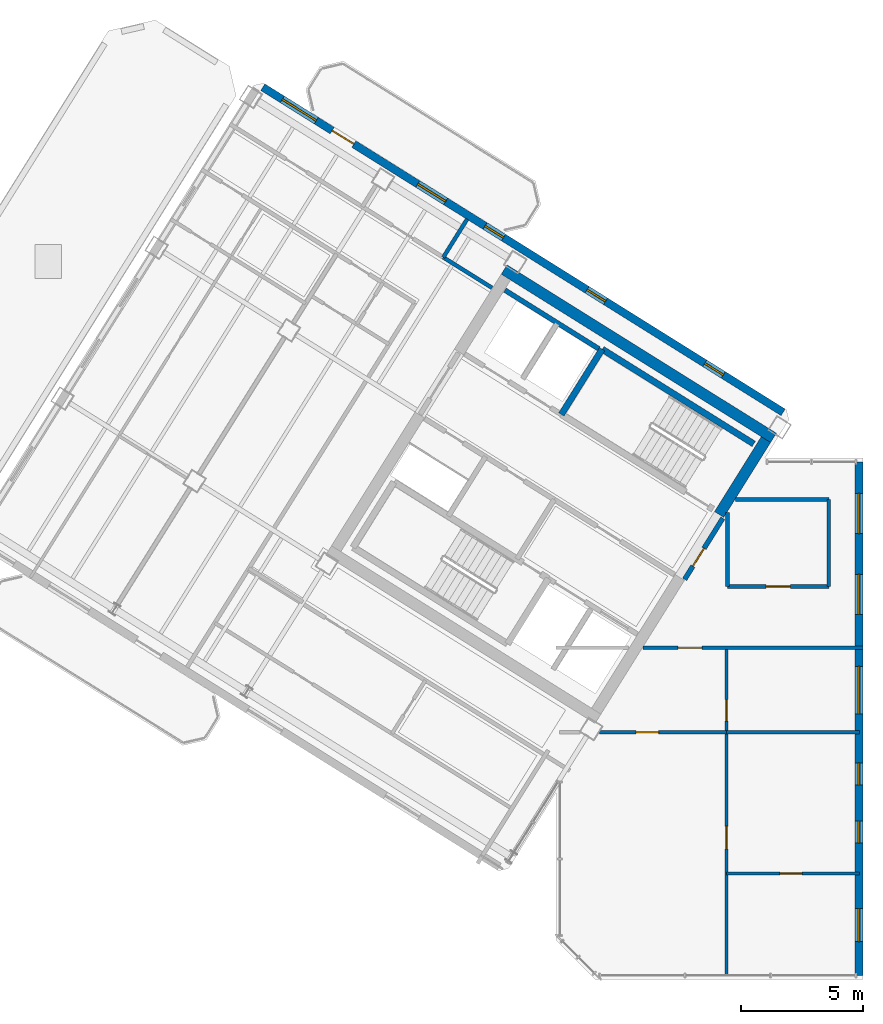
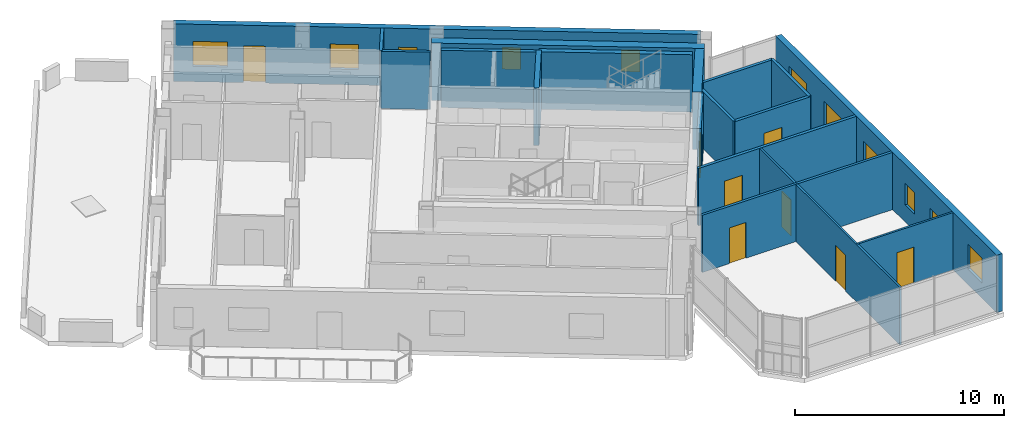
# One storey, part 9 of 12: 19 walls, 11 windows, 8 doors, 19 openings.
"""IFC4 building model written with IfcOpenShell, lengths in metres."""

from ifc_helpers import new_model, si_unit, direction, frame, frame_2d, origin, place, context, subcontext, project, spatial, rectangle, extrude, source, transform, mapped, material, layer, layer_set, type_object, element, fill, save


model = new_model("IFC4")

# Units and contexts
model_context = context("Model", 3, precision=1e-05, world=origin(), true_north=direction((0.0, 1.0)))
body_context = subcontext(model_context, "Body", "Model", "MODEL_VIEW")
ifc_project = project(units=[si_unit("LENGTHUNIT", "METRE"), si_unit("AREAUNIT", "SQUARE_METRE"), si_unit("VOLUMEUNIT", "CUBIC_METRE"), si_unit("PLANEANGLEUNIT", "RADIAN"), si_unit("MASSUNIT", "GRAM", prefix="KILO")], contexts=[model_context])

# Site, building, storey
site_placement = place(None, origin())
site = spatial("IfcSite", under=ifc_project, at=site_placement, CompositionType="ELEMENT")
building_placement = place(site_placement, origin())
building = spatial("IfcBuilding", under=site, at=building_placement, Name="Tlacorven Tower", CompositionType="ELEMENT")
storey_placement = place(building_placement, frame((0.0, 0.0, 280.800048828125)))
storey = spatial("IfcBuildingStorey", under=building, at=storey_placement, Name="L71", CompositionType="ELEMENT", Elevation=280.800048828125)

# Walls
ifc_material_1 = material(Name="Concrete C50/60", Category="concrete")
ifc_layer_1 = layer(ifc_material_1, 0.449951171875)
ifc_layer_set_1 = layer_set([ifc_layer_1], Name="Concrete C50/60")
wall_type_1 = type_object("IfcWallType", Name="WL-COR-450", PredefinedType="SHEAR", material=ifc_layer_set_1)
wall_1_placement = place(storey_placement, frame((40.53076171875, 24.036376953125, 0.0), z_axis=(0.0, 0.0, 1.0), x_axis=(-0.848048787466, 0.529918157905, 0.0)))
element("IfcWall", 1, at=wall_1_placement, inside=storey, type_object=wall_type_1, Name="L71 W core shear wall S1", PredefinedType="SHEAR", context=body_context, shape_type="SweptSolid", body=[
    extrude(rectangle(XDim=13.0400390625, YDim=0.449951171875, at=frame_2d((6.52001953125, 0.0))), origin(), (0.0, 0.0, 1.0), 3.349853515625),
])
wall_2_placement = place(storey_placement, frame((40.220703125, 23.96484375, 0.0), z_axis=(0.0, 0.0, 1.0), x_axis=(-0.529902075036, -0.848058836916, 0.0)))
element("IfcWall", 2, at=wall_2_placement, inside=storey, type_object=wall_type_1, Name="L71 W core end wall E1.1", PredefinedType="SHEAR", context=body_context, shape_type="SweptSolid", body=[
    extrude(rectangle(XDim=3.625, YDim=0.449951171875, at=frame_2d((1.8125, 0.0))), origin(), (0.0, 0.0, 1.0), 3.349853515625),
])
ifc_material_2 = material(Name="Gypsum plasterboard acoustic partition", Category="gypsum")
ifc_layer_2 = layer(ifc_material_2, 0.159912109375)
ifc_layer_set_2 = layer_set([ifc_layer_2], Name="Gypsum plasterboard acoustic partition")
wall_type_2 = type_object("IfcWallType", Name="WL-DEM-160", PredefinedType="PARTITIONING", material=ifc_layer_set_2)
wall_3_placement = place(storey_placement, frame((28.972412109375, 30.197509765625, 0.0), z_axis=(0.0, 0.0, 1.0), x_axis=(-0.848015752453, 0.529971021464, 0.0)))
element("IfcWall", 3, at=wall_3_placement, inside=storey, type_object=wall_type_2, Name="L71 partition 19", PredefinedType="PARTITIONING", context=body_context, shape_type="SweptSolid", body=[
    extrude(rectangle(XDim=2.358154296875, YDim=0.159912109375, at=frame_2d((1.17919921875, 0.0))), origin(), (0.0, 0.0, 1.0), 3.33984375),
])
wall_4_placement = place(storey_placement, frame((27.952880859375, 33.01611328125, 0.0), z_axis=(0.0, 0.0, 1.0), x_axis=(-0.529880305451, -0.848072439061, 0.0)))
element("IfcWall", 4, at=wall_4_placement, inside=storey, type_object=wall_type_2, Name="L71 partition 21", PredefinedType="PARTITIONING", context=body_context, shape_type="SweptSolid", body=[
    extrude(rectangle(XDim=1.849853515625, YDim=0.159912109375, at=frame_2d((0.9248046875, 0.0))), origin(), (0.0, 0.0, 1.0), 3.33984375),
])

# Wall, opening, door
wall_5_placement = place(storey_placement, frame((35.178466796875, 15.419921875, 0.0), z_axis=(0.0, 0.0, 1.0), x_axis=(1.0, 0.0, 0.0)))
wall_5 = element("IfcWall", 5, at=wall_5_placement, inside=storey, type_object=wall_type_2, Name="L71 Knuckle Corridor South Wall", PredefinedType="PARTITIONING", context=body_context, shape_type="SweptSolid", body=[
    extrude(rectangle(XDim=9.021484375, YDim=0.159912109375, at=frame_2d((4.5107421875, 0.0))), origin(), (0.0, 0.0, 1.0), 3.33984375),
])
opening_1_placement = place(wall_5_placement, frame((1.421630859375, 0.0, 0.0)))
opening_1 = element("IfcOpeningElement", 6, at=opening_1_placement, cuts=wall_5, Name="Opening D11", PredefinedType="OPENING", context=body_context, shape_type="SweptSolid", body=[
    extrude(rectangle(XDim=1.0, YDim=2.10009765625, at=frame_2d((0.5, 1.050048828125))), frame((0.0, 0.08984375, 0.0), z_axis=(0.0, -1.0, 0.0), x_axis=(1.0, 0.0, 0.0)), (0.0, 0.0, 1.0), 0.179931640625),
])
ifc_material_3 = material(Name="Fire-rated steel door assembly", Category="steel")
door_type_1 = type_object("IfcDoorType", Name="DR-FLT-FD60-1000", OperationType="NOTDEFINED", PredefinedType="DOOR", material=ifc_material_3)
shared_shape_1 = source(origin(), body_context, "Body", "SweptSolid", [
    extrude(rectangle(XDim=1.0, YDim=2.10009765625, at=frame_2d((0.5, 1.050048828125))), frame((0.0, 0.02490234375, 0.0), z_axis=(0.0, -1.0, 0.0), x_axis=(1.0, 0.0, 0.0)), (0.0, 0.0, 1.0), 0.050048828125),
])
door_1_placement = place(opening_1_placement, frame((1.0, 0.0, 0.0), z_axis=(0.0, 0.0, 1.0), x_axis=(-1.0, 0.0, 0.0)))
door_1 = element("IfcDoor", 7, at=door_1_placement, inside=storey, type_object=door_type_1, Name="L71 door 029", OperationType="SINGLE_SWING_LEFT", OverallHeight=2.10009765625, OverallWidth=1.0, PredefinedType="DOOR", context=body_context, shape_type="MappedRepresentation", body=[
    mapped(shared_shape_1, transform((0.0, 0.0, 0.0), scale=1.0)),
])
fill(opening_1, door_1)

wall_6_placement = place(storey_placement, frame((38.64990234375, 17.929931640625, 0.0), z_axis=(0.0, 0.0, 1.0), x_axis=(1.0, 0.0, 0.0)))
wall_6 = element("IfcWall", 8, at=wall_6_placement, inside=storey, type_object=wall_type_2, Name="L71 partition 40", PredefinedType="PARTITIONING", context=body_context, shape_type="SweptSolid", body=[
    extrude(rectangle(XDim=4.150146484375, YDim=0.159912109375, at=frame_2d((2.0751953125, 0.0))), origin(), (0.0, 0.0, 1.0), 3.33984375),
])
opening_2_placement = place(wall_6_placement, frame((1.574951171875, 0.0, 0.0)))
opening_2 = element("IfcOpeningElement", 9, at=opening_2_placement, cuts=wall_6, Name="Opening D11", PredefinedType="OPENING", context=body_context, shape_type="SweptSolid", body=[
    extrude(rectangle(XDim=1.0, YDim=2.10009765625, at=frame_2d((0.5, 1.050048828125))), frame((0.0, 0.08984375, 0.0), z_axis=(0.0, -1.0, 0.0), x_axis=(1.0, 0.0, 0.0)), (0.0, 0.0, 1.0), 0.179931640625),
])
door_2_placement = place(opening_2_placement, origin())
door_2 = element("IfcDoor", 10, at=door_2_placement, inside=storey, type_object=door_type_1, Name="L71 door 025", OperationType="SINGLE_SWING_RIGHT", OverallHeight=2.10009765625, OverallWidth=1.0, PredefinedType="DOOR", context=body_context, shape_type="MappedRepresentation", body=[
    mapped(shared_shape_1, transform((0.0, 0.0, 0.0), scale=1.0)),
])
fill(opening_2, door_2)

# Walls
wall_7_placement = place(storey_placement, frame((38.64990234375, 17.929931640625, 0.0), z_axis=(0.0, 0.0, 1.0), x_axis=(0.0, 1.0, 0.0)))
element("IfcWall", 11, at=wall_7_placement, inside=storey, type_object=wall_type_2, Name="L71 partition 41", PredefinedType="PARTITIONING", context=body_context, shape_type="SweptSolid", body=[
    extrude(rectangle(XDim=3.045654296875, YDim=0.159912109375, at=frame_2d((1.52294921875, 0.0))), origin(), (0.0, 0.0, 1.0), 3.33984375),
])
wall_8_placement = place(storey_placement, frame((42.800048828125, 17.929931640625, 0.0), z_axis=(0.0, 0.0, 1.0), x_axis=(0.0, 1.0, 0.0)))
element("IfcWall", 12, at=wall_8_placement, inside=storey, type_object=wall_type_2, Name="L71 partition 42", PredefinedType="PARTITIONING", context=body_context, shape_type="SweptSolid", body=[
    extrude(rectangle(XDim=3.570068359375, YDim=0.159912109375, at=frame_2d((1.78515625, 0.0))), origin(), (0.0, 0.0, 1.0), 3.33984375),
])
wall_9_placement = place(storey_placement, frame((38.9775390625, 21.5, 0.0), z_axis=(0.0, 0.0, 1.0), x_axis=(1.0, 0.0, 0.0)))
element("IfcWall", 13, at=wall_9_placement, inside=storey, type_object=wall_type_2, Name="L71 partition 43", PredefinedType="PARTITIONING", context=body_context, shape_type="SweptSolid", body=[
    extrude(rectangle(XDim=3.822509765625, YDim=0.159912109375, at=frame_2d((1.9111328125, 0.0))), origin(), (0.0, 0.0, 1.0), 3.33984375),
])

# Wall, openings, windows
ifc_material_4 = material(Name="Precast concrete C45/55", Category="concrete")
ifc_layer_3 = layer(ifc_material_4, 0.320068359375)
ifc_layer_set_3 = layer_set([ifc_layer_3], Name="Precast concrete C45/55")
wall_type_3 = type_object("IfcWallType", Name="WL-EXT-320", PredefinedType="STANDARD", material=ifc_layer_set_3)
wall_10_placement = place(storey_placement, frame((44.0400390625, 23.0400390625, 0.0), z_axis=(0.0, 0.0, 1.0), x_axis=(0.0, -1.0, 0.0)))
wall_10 = element("IfcWall", 14, at=wall_10_placement, inside=storey, type_object=wall_type_3, Name="L71 Masonry-Frame Recessed Facade Wall 1", PredefinedType="STANDARD", context=body_context, shape_type="SweptSolid", body=[
    extrude(rectangle(XDim=21.080078125, YDim=0.320068359375, at=frame_2d((10.5400390625, 0.0))), origin(), (0.0, 0.0, 1.0), 3.349853515625),
])
opening_3_placement = place(wall_10_placement, frame((1.284912109375, 0.0, 0.89990234375)))
opening_3 = element("IfcOpeningElement", 15, at=opening_3_placement, cuts=wall_10, Name="Opening WN07", PredefinedType="OPENING", context=body_context, shape_type="SweptSolid", body=[
    extrude(rectangle(XDim=1.64990234375, YDim=1.449951171875, at=frame_2d((0.824951171875, 0.72509765625))), frame((0.0, 0.169921875, 0.0), z_axis=(0.0, -1.0, 0.0), x_axis=(1.0, 0.0, 0.0)), (0.0, 0.0, 1.0), 0.340087890625),
])
opening_4_placement = place(wall_10_placement, frame((4.60498046875, 0.0, 0.89990234375)))
opening_4 = element("IfcOpeningElement", 16, at=opening_4_placement, cuts=wall_10, Name="Opening WN07", PredefinedType="OPENING", context=body_context, shape_type="SweptSolid", body=[
    extrude(rectangle(XDim=1.64990234375, YDim=1.449951171875, at=frame_2d((0.824951171875, 0.72509765625))), frame((0.0, 0.169921875, 0.0), z_axis=(0.0, -1.0, 0.0), x_axis=(1.0, 0.0, 0.0)), (0.0, 0.0, 1.0), 0.340087890625),
])
opening_5_placement = place(wall_10_placement, frame((8.385009765625, 0.0, 0.949951171875)))
opening_5 = element("IfcOpeningElement", 17, at=opening_5_placement, cuts=wall_10, Name="Opening WN09", PredefinedType="OPENING", context=body_context, shape_type="SweptSolid", body=[
    extrude(rectangle(XDim=1.949951171875, YDim=1.35009765625, at=frame_2d((0.97509765625, 0.675048828125))), frame((0.0, 0.169921875, 0.0), z_axis=(0.0, -1.0, 0.0), x_axis=(1.0, 0.0, 0.0)), (0.0, 0.0, 1.0), 0.340087890625),
])
opening_6_placement = place(wall_10_placement, frame((12.353759765625, 0.0, 1.0)))
opening_6 = element("IfcOpeningElement", 18, at=opening_6_placement, cuts=wall_10, Name="Opening WN05", PredefinedType="OPENING", context=body_context, shape_type="SweptSolid", body=[
    extrude(rectangle(XDim=0.89990234375, YDim=1.25, at=frame_2d((0.449951171875, 0.625))), frame((0.0, 0.169921875, 0.0), z_axis=(0.0, -1.0, 0.0), x_axis=(1.0, 0.0, 0.0)), (0.0, 0.0, 1.0), 0.340087890625),
])
opening_7_placement = place(wall_10_placement, frame((14.7412109375, 0.0, 1.0)))
opening_7 = element("IfcOpeningElement", 19, at=opening_7_placement, cuts=wall_10, Name="Opening WN05", PredefinedType="OPENING", context=body_context, shape_type="SweptSolid", body=[
    extrude(rectangle(XDim=0.89990234375, YDim=1.25, at=frame_2d((0.449951171875, 0.625))), frame((0.0, 0.169921875, 0.0), z_axis=(0.0, -1.0, 0.0), x_axis=(1.0, 0.0, 0.0)), (0.0, 0.0, 1.0), 0.340087890625),
])
opening_8_placement = place(wall_10_placement, frame((18.33740234375, 0.0, 0.89990234375)))
opening_8 = element("IfcOpeningElement", 20, at=opening_8_placement, cuts=wall_10, Name="Opening WN08", PredefinedType="OPENING", context=body_context, shape_type="SweptSolid", body=[
    extrude(rectangle(XDim=1.35009765625, YDim=1.449951171875, at=frame_2d((0.675048828125, 0.72509765625))), frame((0.0, 0.169921875, 0.0), z_axis=(0.0, -1.0, 0.0), x_axis=(1.0, 0.0, 0.0)), (0.0, 0.0, 1.0), 0.340087890625),
])
ifc_material_5 = material(Name="Dark solar low-E double glazing in anodised aluminium frame", Category="aluminium")
window_type_1 = type_object("IfcWindowType", Name="WN-APT-0900X1350", PartitioningType="SINGLE_PANEL", PredefinedType="WINDOW", material=ifc_material_5)
shared_shape_2 = source(origin(), body_context, "Body", "SweptSolid", [
    extrude(rectangle(XDim=0.89990234375, YDim=1.25, at=frame_2d((0.449951171875, 0.625))), frame((0.0, 0.030029296875, 0.0), z_axis=(0.0, -1.0, 0.0), x_axis=(1.0, 0.0, 0.0)), (0.0, 0.0, 1.0), 0.06005859375),
])
window_1_placement = place(opening_6_placement, origin())
window_1 = element("IfcWindow", 21, at=window_1_placement, inside=storey, type_object=window_type_1, Name="L71 Recessed Masonry-Frame Window L71-01.4", OverallHeight=1.25, OverallWidth=0.89990234375, PartitioningType="SINGLE_PANEL", PredefinedType="WINDOW", context=body_context, shape_type="MappedRepresentation", body=[
    mapped(shared_shape_2, transform((0.0, 0.0, 0.0), scale=1.0)),
])
fill(opening_6, window_1)
window_2_placement = place(opening_7_placement, origin())
window_2 = element("IfcWindow", 22, at=window_2_placement, inside=storey, type_object=window_type_1, Name="L71 Recessed Masonry-Frame Window L71-01.5", OverallHeight=1.25, OverallWidth=0.89990234375, PartitioningType="SINGLE_PANEL", PredefinedType="WINDOW", context=body_context, shape_type="MappedRepresentation", body=[
    mapped(shared_shape_2, transform((0.0, 0.0, 0.0), scale=1.0)),
])
fill(opening_7, window_2)
window_type_2 = type_object("IfcWindowType", Name="WN-APT-1650X1600", PartitioningType="SINGLE_PANEL", PredefinedType="WINDOW", material=ifc_material_5)
shared_shape_3 = source(origin(), body_context, "Body", "SweptSolid", [
    extrude(rectangle(XDim=1.64990234375, YDim=1.449951171875, at=frame_2d((0.824951171875, 0.72509765625))), frame((0.0, 0.030029296875, 0.0), z_axis=(0.0, -1.0, 0.0), x_axis=(1.0, 0.0, 0.0)), (0.0, 0.0, 1.0), 0.06005859375),
])
window_3_placement = place(opening_3_placement, origin())
window_3 = element("IfcWindow", 23, at=window_3_placement, inside=storey, type_object=window_type_2, Name="L71 Recessed Masonry-Frame Window L71-01.1", OverallHeight=1.449951171875, OverallWidth=1.64990234375, PartitioningType="SINGLE_PANEL", PredefinedType="WINDOW", context=body_context, shape_type="MappedRepresentation", body=[
    mapped(shared_shape_3, transform((0.0, 0.0, 0.0), scale=1.0)),
])
fill(opening_3, window_3)
window_4_placement = place(opening_4_placement, origin())
window_4 = element("IfcWindow", 24, at=window_4_placement, inside=storey, type_object=window_type_2, Name="L71 Recessed Masonry-Frame Window L71-01.2", OverallHeight=1.449951171875, OverallWidth=1.64990234375, PartitioningType="SINGLE_PANEL", PredefinedType="WINDOW", context=body_context, shape_type="MappedRepresentation", body=[
    mapped(shared_shape_3, transform((0.0, 0.0, 0.0), scale=1.0)),
])
fill(opening_4, window_4)
window_type_3 = type_object("IfcWindowType", Name="WN-APT-1350X1550", PartitioningType="SINGLE_PANEL", PredefinedType="WINDOW", material=ifc_material_5)
shared_shape_4 = source(origin(), body_context, "Body", "SweptSolid", [
    extrude(rectangle(XDim=1.35009765625, YDim=1.449951171875, at=frame_2d((0.675048828125, 0.72509765625))), frame((0.0, 0.030029296875, 0.0), z_axis=(0.0, -1.0, 0.0), x_axis=(1.0, 0.0, 0.0)), (0.0, 0.0, 1.0), 0.06005859375),
])
window_5_placement = place(opening_8_placement, origin())
window_5 = element("IfcWindow", 25, at=window_5_placement, inside=storey, type_object=window_type_3, Name="L71 Recessed Masonry-Frame Window L71-01.6", OverallHeight=1.449951171875, OverallWidth=1.35009765625, PartitioningType="SINGLE_PANEL", PredefinedType="WINDOW", context=body_context, shape_type="MappedRepresentation", body=[
    mapped(shared_shape_4, transform((0.0, 0.0, 0.0), scale=1.0)),
])
fill(opening_8, window_5)
window_type_4 = type_object("IfcWindowType", Name="WN-GAL-1950X1450", PartitioningType="SINGLE_PANEL", PredefinedType="WINDOW", material=ifc_material_5)
shared_shape_5 = source(origin(), body_context, "Body", "SweptSolid", [
    extrude(rectangle(XDim=1.949951171875, YDim=1.35009765625, at=frame_2d((0.97509765625, 0.675048828125))), frame((0.0, 0.030029296875, 0.0), z_axis=(0.0, -1.0, 0.0), x_axis=(1.0, 0.0, 0.0)), (0.0, 0.0, 1.0), 0.06005859375),
])
window_6_placement = place(opening_5_placement, origin())
window_6 = element("IfcWindow", 26, at=window_6_placement, inside=storey, type_object=window_type_4, Name="L71 Recessed Masonry-Frame Window L71-01.3", OverallHeight=1.35009765625, OverallWidth=1.949951171875, PartitioningType="SINGLE_PANEL", PredefinedType="WINDOW", context=body_context, shape_type="MappedRepresentation", body=[
    mapped(shared_shape_5, transform((0.0, 0.0, 0.0), scale=1.0)),
])
fill(opening_5, window_6)

# Wall, openings, door, windows
wall_11_placement = place(storey_placement, frame((19.56591796875, 38.433837890625, 0.0), z_axis=(0.0, 0.0, 1.0), x_axis=(0.84804567626, -0.529923136858, 0.0)))
wall_11 = element("IfcWall", 27, at=wall_11_placement, inside=storey, type_object=wall_type_3, Name="L71 Masonry-Frame Recessed Facade Wall 4", PredefinedType="STANDARD", context=body_context, shape_type="SweptSolid", body=[
    extrude(rectangle(XDim=25.1875, YDim=0.320068359375, at=frame_2d((12.59375, 0.0))), origin(), (0.0, 0.0, 1.0), 3.349853515625),
])
opening_9_placement = place(wall_11_placement, frame((3.355224609375, 0.0, 0.0)))
opening_9 = element("IfcOpeningElement", 28, at=opening_9_placement, cuts=wall_11, Name="Opening D06", PredefinedType="OPENING", context=body_context, shape_type="SweptSolid", body=[
    extrude(rectangle(XDim=1.050048828125, YDim=2.14990234375, at=frame_2d((0.52490234375, 1.074951171875))), frame((0.0, 0.169921875, 0.0), z_axis=(0.0, -1.0, 0.0), x_axis=(1.0, 0.0, 0.0)), (0.0, 0.0, 1.0), 0.340087890625),
])
opening_10_placement = place(wall_11_placement, frame((0.939453125, 0.0, 0.89990234375)))
opening_10 = element("IfcOpeningElement", 29, at=opening_10_placement, cuts=wall_11, Name="Opening WN07", PredefinedType="OPENING", context=body_context, shape_type="SweptSolid", body=[
    extrude(rectangle(XDim=1.64990234375, YDim=1.449951171875, at=frame_2d((0.824951171875, 0.72509765625))), frame((0.0, 0.169921875, 0.0), z_axis=(0.0, -1.0, 0.0), x_axis=(1.0, 0.0, 0.0)), (0.0, 0.0, 1.0), 0.340087890625),
])
opening_11_placement = place(wall_11_placement, frame((7.498779296875, 0.0, 0.89990234375)))
opening_11 = element("IfcOpeningElement", 30, at=opening_11_placement, cuts=wall_11, Name="Opening WN08", PredefinedType="OPENING", context=body_context, shape_type="SweptSolid", body=[
    extrude(rectangle(XDim=1.35009765625, YDim=1.449951171875, at=frame_2d((0.675048828125, 0.72509765625))), frame((0.0, 0.169921875, 0.0), z_axis=(0.0, -1.0, 0.0), x_axis=(1.0, 0.0, 0.0)), (0.0, 0.0, 1.0), 0.340087890625),
])
opening_12_placement = place(wall_11_placement, frame((10.753662109375, 0.0, 1.0)))
opening_12 = element("IfcOpeningElement", 31, at=opening_12_placement, cuts=wall_11, Name="Opening WN05", PredefinedType="OPENING", context=body_context, shape_type="SweptSolid", body=[
    extrude(rectangle(XDim=0.89990234375, YDim=1.25, at=frame_2d((0.449951171875, 0.625))), frame((0.0, 0.169921875, 0.0), z_axis=(0.0, -1.0, 0.0), x_axis=(1.0, 0.0, 0.0)), (0.0, 0.0, 1.0), 0.340087890625),
])
opening_13_placement = place(wall_11_placement, frame((15.693603515625, 0.0, 1.0)))
opening_13 = element("IfcOpeningElement", 32, at=opening_13_placement, cuts=wall_11, Name="Opening WN05", PredefinedType="OPENING", context=body_context, shape_type="SweptSolid", body=[
    extrude(rectangle(XDim=0.89990234375, YDim=1.25, at=frame_2d((0.449951171875, 0.625))), frame((0.0, 0.169921875, 0.0), z_axis=(0.0, -1.0, 0.0), x_axis=(1.0, 0.0, 0.0)), (0.0, 0.0, 1.0), 0.340087890625),
])
opening_14_placement = place(wall_11_placement, frame((21.393798828125, 0.0, 1.0)))
opening_14 = element("IfcOpeningElement", 33, at=opening_14_placement, cuts=wall_11, Name="Opening WN05", PredefinedType="OPENING", context=body_context, shape_type="SweptSolid", body=[
    extrude(rectangle(XDim=0.89990234375, YDim=1.25, at=frame_2d((0.449951171875, 0.625))), frame((0.0, 0.169921875, 0.0), z_axis=(0.0, -1.0, 0.0), x_axis=(1.0, 0.0, 0.0)), (0.0, 0.0, 1.0), 0.340087890625),
])
ifc_material_6 = material(Name="Powder-coated aluminium and timber door", Category="wood")
door_type_2 = type_object("IfcDoorType", Name="DR-EXT-BALC-1050", OperationType="NOTDEFINED", PredefinedType="DOOR", material=ifc_material_6)
shared_shape_6 = source(origin(), body_context, "Body", "SweptSolid", [
    extrude(rectangle(XDim=1.050048828125, YDim=2.14990234375, at=frame_2d((0.52490234375, 1.074951171875))), frame((0.0, 0.02490234375, 0.0), z_axis=(0.0, -1.0, 0.0), x_axis=(1.0, 0.0, 0.0)), (0.0, 0.0, 1.0), 0.050048828125),
])
door_3_placement = place(opening_9_placement, origin())
door_3 = element("IfcDoor", 34, at=door_3_placement, inside=storey, type_object=door_type_2, Name="L71 Outdoor Access Door BAL-L71-W-IN", OperationType="SINGLE_SWING_RIGHT", OverallHeight=2.14990234375, OverallWidth=1.050048828125, PredefinedType="DOOR", context=body_context, shape_type="MappedRepresentation", body=[
    mapped(shared_shape_6, transform((0.0, 0.0, 0.0), scale=1.0)),
])
fill(opening_9, door_3)
window_7_placement = place(opening_12_placement, origin())
window_7 = element("IfcWindow", 35, at=window_7_placement, inside=storey, type_object=window_type_1, Name="L71 Recessed Masonry-Frame Window L71-04.3", OverallHeight=1.25, OverallWidth=0.89990234375, PartitioningType="SINGLE_PANEL", PredefinedType="WINDOW", context=body_context, shape_type="MappedRepresentation", body=[
    mapped(shared_shape_2, transform((0.0, 0.0, 0.0), scale=1.0)),
])
fill(opening_12, window_7)
window_8_placement = place(opening_13_placement, origin())
window_8 = element("IfcWindow", 36, at=window_8_placement, inside=storey, type_object=window_type_1, Name="L71 Recessed Masonry-Frame Window L71-04.4", OverallHeight=1.25, OverallWidth=0.89990234375, PartitioningType="SINGLE_PANEL", PredefinedType="WINDOW", context=body_context, shape_type="MappedRepresentation", body=[
    mapped(shared_shape_2, transform((0.0, 0.0, 0.0), scale=1.0)),
])
fill(opening_13, window_8)
window_9_placement = place(opening_14_placement, origin())
window_9 = element("IfcWindow", 37, at=window_9_placement, inside=storey, type_object=window_type_1, Name="L71 Recessed Masonry-Frame Window L71-04.5", OverallHeight=1.25, OverallWidth=0.89990234375, PartitioningType="SINGLE_PANEL", PredefinedType="WINDOW", context=body_context, shape_type="MappedRepresentation", body=[
    mapped(shared_shape_2, transform((0.0, 0.0, 0.0), scale=1.0)),
])
fill(opening_14, window_9)
window_10_placement = place(opening_10_placement, origin())
window_10 = element("IfcWindow", 38, at=window_10_placement, inside=storey, type_object=window_type_2, Name="L71 Recessed Masonry-Frame Window L71-04.1", OverallHeight=1.449951171875, OverallWidth=1.64990234375, PartitioningType="SINGLE_PANEL", PredefinedType="WINDOW", context=body_context, shape_type="MappedRepresentation", body=[
    mapped(shared_shape_3, transform((0.0, 0.0, 0.0), scale=1.0)),
])
fill(opening_10, window_10)
window_11_placement = place(opening_11_placement, origin())
window_11 = element("IfcWindow", 39, at=window_11_placement, inside=storey, type_object=window_type_3, Name="L71 Recessed Masonry-Frame Window L71-04.2", OverallHeight=1.449951171875, OverallWidth=1.35009765625, PartitioningType="SINGLE_PANEL", PredefinedType="WINDOW", context=body_context, shape_type="MappedRepresentation", body=[
    mapped(shared_shape_4, transform((0.0, 0.0, 0.0), scale=1.0)),
])
fill(opening_11, window_11)

# Wall, openings, doors
ifc_material_7 = material(Name="Gypsum plasterboard partition", Category="gypsum")
ifc_layer_4 = layer(ifc_material_7, 0.110107421875)
ifc_layer_set_4 = layer_set([ifc_layer_4], Name="Gypsum plasterboard partition")
wall_type_4 = type_object("IfcWallType", Name="WL-INT-110", PredefinedType="PARTITIONING", material=ifc_layer_set_4)
wall_12_placement = place(storey_placement, frame((38.60009765625, 1.9599609375, 0.0), z_axis=(0.0, 0.0, 1.0), x_axis=(0.0, 1.0, 0.0)))
wall_12 = element("IfcWall", 40, at=wall_12_placement, inside=storey, type_object=wall_type_4, Name="L71 partition 44", PredefinedType="PARTITIONING", context=body_context, shape_type="SweptSolid", body=[
    extrude(rectangle(XDim=13.4599609375, YDim=0.110107421875, at=frame_2d((6.72998046875, 0.0))), origin(), (0.0, 0.0, 1.0), 3.33984375),
])
opening_15_placement = place(wall_12_placement, frame((5.199951171875, 0.0, 0.0)))
opening_15 = element("IfcOpeningElement", 41, at=opening_15_placement, cuts=wall_12, Name="Opening D12", PredefinedType="OPENING", context=body_context, shape_type="SweptSolid", body=[
    extrude(rectangle(XDim=0.919921875, YDim=2.080078125, at=frame_2d((0.4599609375, 1.0400390625))), frame((0.0, 0.06494140625, 0.0), z_axis=(0.0, -1.0, 0.0), x_axis=(1.0, 0.0, 0.0)), (0.0, 0.0, 1.0), 0.130126953125),
])
opening_16_placement = place(wall_12_placement, frame((10.449951171875, 0.0, 0.0)))
opening_16 = element("IfcOpeningElement", 42, at=opening_16_placement, cuts=wall_12, Name="Opening D13", PredefinedType="OPENING", context=body_context, shape_type="SweptSolid", body=[
    extrude(rectangle(XDim=0.8798828125, YDim=2.080078125, at=frame_2d((0.43994140625, 1.0400390625))), frame((0.0, 0.06494140625, 0.0), z_axis=(0.0, -1.0, 0.0), x_axis=(1.0, 0.0, 0.0)), (0.0, 0.0, 1.0), 0.130126953125),
])
door_type_3 = type_object("IfcDoorType", Name="DR-INT-WET-0880", OperationType="NOTDEFINED", PredefinedType="DOOR", material=ifc_material_6)
shared_shape_7 = source(origin(), body_context, "Body", "SweptSolid", [
    extrude(rectangle(XDim=0.8798828125, YDim=2.080078125, at=frame_2d((0.43994140625, 1.0400390625))), frame((0.0, 0.02490234375, 0.0), z_axis=(0.0, -1.0, 0.0), x_axis=(1.0, 0.0, 0.0)), (0.0, 0.0, 1.0), 0.050048828125),
])
door_4_placement = place(opening_16_placement, origin())
door_4 = element("IfcDoor", 43, at=door_4_placement, inside=storey, type_object=door_type_3, Name="L71 door 031", OperationType="SINGLE_SWING_LEFT", OverallHeight=2.080078125, OverallWidth=0.8798828125, PredefinedType="DOOR", context=body_context, shape_type="MappedRepresentation", body=[
    mapped(shared_shape_7, transform((0.0, 0.0, 0.0), scale=1.0)),
])
fill(opening_16, door_4)
door_type_4 = type_object("IfcDoorType", Name="DR-INT-ROOM-0920", OperationType="NOTDEFINED", PredefinedType="DOOR", material=ifc_material_6)
shared_shape_8 = source(origin(), body_context, "Body", "SweptSolid", [
    extrude(rectangle(XDim=0.919921875, YDim=2.080078125, at=frame_2d((0.4599609375, 1.0400390625))), frame((0.0, 0.02490234375, 0.0), z_axis=(0.0, -1.0, 0.0), x_axis=(1.0, 0.0, 0.0)), (0.0, 0.0, 1.0), 0.050048828125),
])
door_5_placement = place(opening_15_placement, origin())
door_5 = element("IfcDoor", 44, at=door_5_placement, inside=storey, type_object=door_type_4, Name="L71 door 027", OperationType="SINGLE_SWING_LEFT", OverallHeight=2.080078125, OverallWidth=0.919921875, PredefinedType="DOOR", context=body_context, shape_type="MappedRepresentation", body=[
    mapped(shared_shape_8, transform((0.0, 0.0, 0.0), scale=1.0)),
])
fill(opening_15, door_5)

# Wall, opening, door
wall_13_placement = place(storey_placement, frame((38.60009765625, 6.14990234375, 0.0), z_axis=(0.0, 0.0, 1.0), x_axis=(1.0, 0.0, 0.0)))
wall_13 = element("IfcWall", 45, at=wall_13_placement, inside=storey, type_object=wall_type_4, Name="L71 partition 47", PredefinedType="PARTITIONING", context=body_context, shape_type="SweptSolid", body=[
    extrude(rectangle(XDim=5.4599609375, YDim=0.110107421875, at=frame_2d((2.72998046875, 0.0))), origin(), (0.0, 0.0, 1.0), 3.33984375),
])
opening_17_placement = place(wall_13_placement, frame((2.18994140625, 0.0, 0.0)))
opening_17 = element("IfcOpeningElement", 46, at=opening_17_placement, cuts=wall_13, Name="Opening D12", PredefinedType="OPENING", context=body_context, shape_type="SweptSolid", body=[
    extrude(rectangle(XDim=0.919921875, YDim=2.080078125, at=frame_2d((0.4599609375, 1.0400390625))), frame((0.0, 0.06494140625, 0.0), z_axis=(0.0, -1.0, 0.0), x_axis=(1.0, 0.0, 0.0)), (0.0, 0.0, 1.0), 0.130126953125),
])
door_6_placement = place(opening_17_placement, origin())
door_6 = element("IfcDoor", 47, at=door_6_placement, inside=storey, type_object=door_type_4, Name="L71 door 028", OperationType="SINGLE_SWING_RIGHT", OverallHeight=2.080078125, OverallWidth=0.919921875, PredefinedType="DOOR", context=body_context, shape_type="MappedRepresentation", body=[
    mapped(shared_shape_8, transform((0.0, 0.0, 0.0), scale=1.0)),
])
fill(opening_17, door_6)

ifc_material_8 = material(Name="Moisture-resistant gypsum plumbing wall", Category="gypsum")
ifc_layer_5 = layer(ifc_material_8, 0.139892578125)
ifc_layer_set_5 = layer_set([ifc_layer_5], Name="Moisture-resistant gypsum plumbing wall")
wall_type_5 = type_object("IfcWallType", Name="WL-PLM-140", PredefinedType="PLUMBINGWALL", material=ifc_layer_set_5)
wall_14_placement = place(storey_placement, frame((33.387451171875, 11.949951171875, 0.0), z_axis=(0.0, 0.0, 1.0), x_axis=(1.0, 0.0, 0.0)))
wall_14 = element("IfcWall", 48, at=wall_14_placement, inside=storey, type_object=wall_type_5, Name="L71 partition 45", PredefinedType="PLUMBINGWALL", context=body_context, shape_type="SweptSolid", body=[
    extrude(rectangle(XDim=5.212646484375, YDim=0.139892578125, at=frame_2d((2.6064453125, 0.0))), origin(), (0.0, 0.0, 1.0), 3.33984375),
])
opening_18_placement = place(wall_14_placement, frame((1.50244140625, 0.0, 0.0)))
opening_18 = element("IfcOpeningElement", 49, at=opening_18_placement, cuts=wall_14, Name="Opening D12", PredefinedType="OPENING", context=body_context, shape_type="SweptSolid", body=[
    extrude(rectangle(XDim=0.919921875, YDim=2.080078125, at=frame_2d((0.4599609375, 1.0400390625))), frame((0.0, 0.080078125, 0.0), z_axis=(0.0, -1.0, 0.0), x_axis=(1.0, 0.0, 0.0)), (0.0, 0.0, 1.0), 0.159912109375),
])
door_7_placement = place(opening_18_placement, frame((0.919921875, 0.0, 0.0), z_axis=(0.0, 0.0, 1.0), x_axis=(-1.0, 0.0, 0.0)))
door_7 = element("IfcDoor", 50, at=door_7_placement, inside=storey, type_object=door_type_4, Name="L71 door 030", OperationType="SINGLE_SWING_RIGHT", OverallHeight=2.080078125, OverallWidth=0.919921875, PredefinedType="DOOR", context=body_context, shape_type="MappedRepresentation", body=[
    mapped(shared_shape_8, transform((0.0, 0.0, 0.0), scale=1.0)),
])
fill(opening_18, door_7)

# Walls
wall_15_placement = place(storey_placement, frame((38.60009765625, 11.949951171875, 0.0), z_axis=(0.0, 0.0, 1.0), x_axis=(1.0, 0.0, 0.0)))
element("IfcWall", 51, at=wall_15_placement, inside=storey, type_object=wall_type_5, Name="L71 partition 46", PredefinedType="PLUMBINGWALL", context=body_context, shape_type="SweptSolid", body=[
    extrude(rectangle(XDim=5.4599609375, YDim=0.139892578125, at=frame_2d((2.72998046875, 0.0))), origin(), (0.0, 0.0, 1.0), 3.33984375),
])
ifc_material_9 = material(Name="Concrete C40/50", Category="concrete")
ifc_layer_6 = layer(ifc_material_9, 0.199951171875)
ifc_layer_set_6 = layer_set([ifc_layer_6], Name="Concrete C40/50")
wall_type_6 = type_object("IfcWallType", Name="WL-SHF-200", PredefinedType="STANDARD", material=ifc_layer_set_6)
wall_16_placement = place(storey_placement, frame((33.362548828125, 27.690185546875, 0.0), z_axis=(0.0, 0.0, 1.0), x_axis=(-0.84804957148, 0.529916903215, 0.0)))
element("IfcWall", 52, at=wall_16_placement, inside=storey, type_object=wall_type_6, Name="L71 partition 14", PredefinedType="STANDARD", context=body_context, shape_type="SweptSolid", body=[
    extrude(rectangle(XDim=4.547607421875, YDim=0.199951171875, at=frame_2d((2.27392578125, 0.0))), origin(), (0.0, 0.0, 1.0), 3.33984375),
])

# Wall, opening, door
wall_17_placement = place(storey_placement, frame((38.451416015625, 20.737060546875, 0.0), z_axis=(0.0, 0.0, 1.0), x_axis=(-0.529924799939, -0.848044637038, 0.0)))
wall_17 = element("IfcWall", 53, at=wall_17_placement, inside=storey, type_object=wall_type_6, Name="L71 partition 38", PredefinedType="STANDARD", context=body_context, shape_type="SweptSolid", body=[
    extrude(rectangle(XDim=2.9599609375, YDim=0.199951171875, at=frame_2d((1.47998046875, 0.0))), origin(), (0.0, 0.0, 1.0), 3.33984375),
])
opening_19_placement = place(wall_17_placement, frame((1.4599609375, 0.0, 0.0)))
opening_19 = element("IfcOpeningElement", 54, at=opening_19_placement, cuts=wall_17, Name="Opening D19", PredefinedType="OPENING", context=body_context, shape_type="SweptSolid", body=[
    extrude(rectangle(XDim=0.860107421875, YDim=2.050048828125, at=frame_2d((0.43017578125, 1.02490234375))), frame((0.0, 0.10986328125, 0.0), z_axis=(0.0, -1.0, 0.0), x_axis=(1.0, 0.0, 0.0)), (0.0, 0.0, 1.0), 0.219970703125),
])
door_type_5 = type_object("IfcDoorType", Name="DR-RSR-FD60-0860", OperationType="NOTDEFINED", PredefinedType="DOOR", material=ifc_material_3)
shared_shape_9 = source(origin(), body_context, "Body", "SweptSolid", [
    extrude(rectangle(XDim=0.860107421875, YDim=2.050048828125, at=frame_2d((0.43017578125, 1.02490234375))), frame((0.0, 0.02490234375, 0.0), z_axis=(0.0, -1.0, 0.0), x_axis=(1.0, 0.0, 0.0)), (0.0, 0.0, 1.0), 0.050048828125),
])
door_8_placement = place(opening_19_placement, frame((0.860107421875, 0.0, 0.0), z_axis=(0.0, 0.0, 1.0), x_axis=(-1.0, 0.0, 0.0)))
door_8 = element("IfcDoor", 55, at=door_8_placement, inside=storey, type_object=door_type_5, Name="L71 door 026", OperationType="SINGLE_SWING_LEFT", OverallHeight=2.050048828125, OverallWidth=0.860107421875, PredefinedType="DOOR", context=body_context, shape_type="MappedRepresentation", body=[
    mapped(shared_shape_9, transform((0.0, 0.0, 0.0), scale=1.0)),
])
fill(opening_19, door_8)

# Walls
ifc_layer_7 = layer(ifc_material_1, 0.260009765625)
ifc_layer_set_7 = layer_set([ifc_layer_7], Name="Concrete C50/60")
wall_type_7 = type_object("IfcWallType", Name="WL-STW-260", PredefinedType="SHEAR", material=ifc_layer_set_7)
wall_18_placement = place(storey_placement, frame((39.720947265625, 23.787841796875, 0.0), z_axis=(0.0, 0.0, 1.0), x_axis=(-0.848054434086, 0.529909121291, 0.0)))
element("IfcWall", 56, at=wall_18_placement, inside=storey, type_object=wall_type_7, Name="L71 Stair W2 Far Shear Wall", PredefinedType="SHEAR", context=body_context, shape_type="SweptSolid", body=[
    extrude(rectangle(XDim=7.330078125, YDim=0.260009765625, at=frame_2d((3.6650390625, 0.0))), origin(), (0.0, 0.0, 1.0), 3.349853515625),
])
wall_19_placement = place(storey_placement, frame((33.496337890625, 27.677490234375, 0.0), z_axis=(0.0, 0.0, 1.0), x_axis=(-0.529908658664, -0.84805472316, 0.0)))
element("IfcWall", 57, at=wall_19_placement, inside=storey, type_object=wall_type_7, Name="L71 Stair W2 East Shear Wall", PredefinedType="SHEAR", context=body_context, shape_type="SweptSolid", body=[
    extrude(rectangle(XDim=3.16015625, YDim=0.260009765625, at=frame_2d((1.580078125, 0.0))), origin(), (0.0, 0.0, 1.0), 3.349853515625),
])

save(model, "model.ifc")
